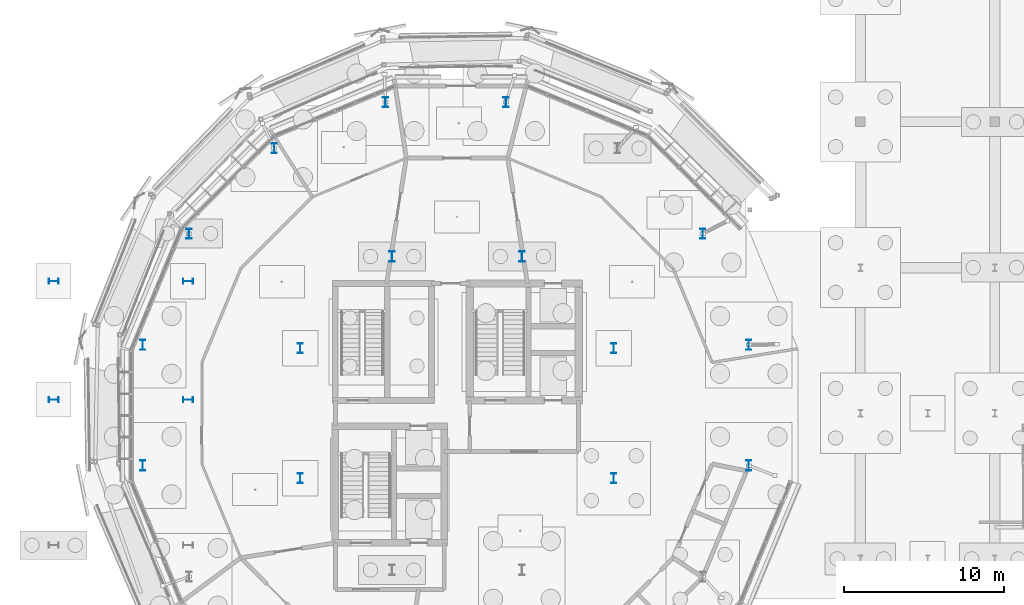
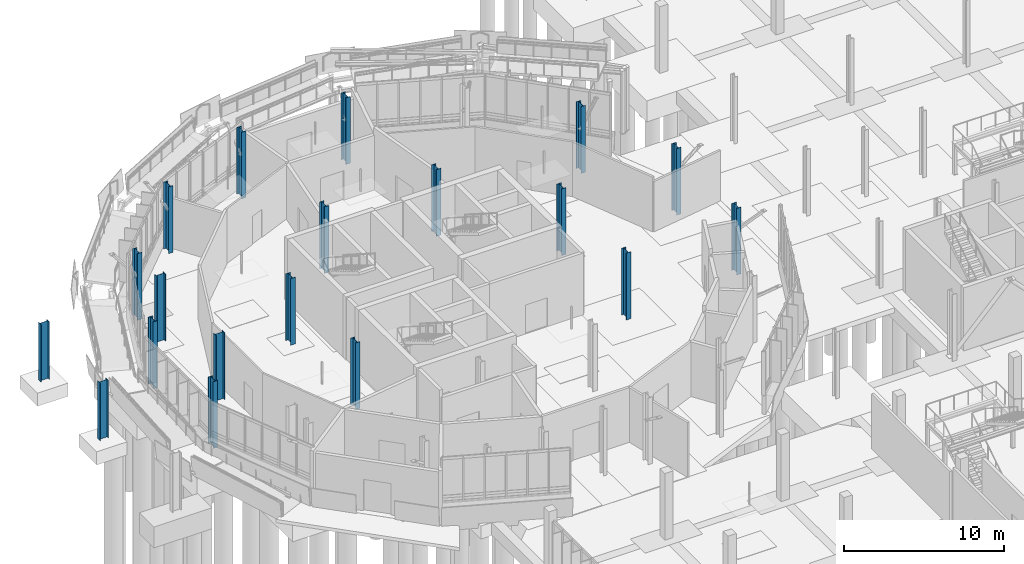
# One storey, part 19 of 119: 19 columns.
"""IFC4 building model written with IfcOpenShell, lengths in metres."""

from ifc_helpers import new_model, si_unit, derived_unit, direction, frame, origin, origin_2d, place, context, subcontext, project, spatial, i_section, extrude, material, material_profile, profile_set, type_object, element, save


model = new_model("IFC4")

# Units and contexts
model_context = context("Model", 3, precision=1e-05, world=origin(), true_north=direction((0.0, 1.0)))
body_context = subcontext(model_context, "Body", "Model", "MODEL_VIEW")
ifc_project = project(units=[si_unit("LENGTHUNIT", "METRE"), si_unit("AREAUNIT", "SQUARE_METRE"), si_unit("VOLUMEUNIT", "CUBIC_METRE"), si_unit("PLANEANGLEUNIT", "RADIAN"), si_unit("MASSUNIT", "GRAM", prefix="KILO"), derived_unit("THERMALTRANSMITTANCEUNIT", [(si_unit("MASSUNIT", "GRAM", prefix="KILO"), 1), (si_unit("TIMEUNIT", "SECOND"), -3), (si_unit("THERMODYNAMICTEMPERATUREUNIT", "KELVIN"), -1)])], contexts=[model_context])

# Site, building, storey
site_placement = place(None, origin())
site = spatial("IfcSite", under=ifc_project, at=site_placement, CompositionType="ELEMENT")
building_placement = place(site_placement, origin())
building = spatial("IfcBuilding", under=site, at=building_placement, Name="Makaiwela Harbour Ferry Terminal", CompositionType="ELEMENT")
storey_placement = place(building_placement, origin())
storey = spatial("IfcBuildingStorey", under=building, at=storey_placement, Name="L00", CompositionType="ELEMENT", Elevation=0.0)

# Columns
ifc_material = material(Name="Steel ASTM A992 Grade 50", Category="steel")
ifc_material_profile = material_profile(ifc_material, i_section(OverallWidth=0.327880859375, OverallDepth=0.6279296875, WebThickness=0.0166015625, FlangeThickness=0.027587890625, at=origin_2d()), Name="W24X146")
ifc_profile_set = profile_set([ifc_material_profile], Name="Steel ASTM A992 Grade 50")
column_type = type_object("IfcColumnType", Name="STR-COL-W24X146", PredefinedType="COLUMN", material=ifc_profile_set)
for number, where, z_axis, x_axis, name in (
    (1, (47.593017578125, 71.656494140625, 0.0), (0.0, 0.0, 1.0), (1.0, 0.0, 0.0), "Structural Column C-01"),
    (2, (41.8564453125, 77.39306640625, 0.0), (0.0, 0.0, 1.0), (1.0, 0.0, 0.0), "Structural Column C-01"),
    (3, (33.74365234375, 77.39306640625, 0.0), (0.0, 0.0, 1.0), (1.0, 0.0, 0.0), "Structural Column C-01"),
    (4, (28.0068359375, 71.656494140625, 0.0), (0.0, 0.0, 1.0), (1.0, 0.0, 0.0), "Structural Column C-01"),
    (5, (28.0068359375, 63.543701171875, 0.0), (0.0, 0.0, 1.0), (1.0, 0.0, 0.0), "Structural Column C-01"),
    (6, (47.593017578125, 63.543701171875, 0.0), (0.0, 0.0, 1.0), (1.0, 0.0, 0.0), "Structural Column C-01"),
    (7, (56.029296875, 71.865234375, 0.0), (0.0, 0.0, 1.0), (1.0, 0.0, 0.0), "Structural Column C-01"),
    (8, (53.1474609375, 78.822509765625, 0.0), (0.0, 0.0, 1.0), (1.0, 0.0, 0.0), "Structural Column C-01"),
    (9, (40.865234375, 87.029296875, 0.0), (0.0, 0.0, 1.0), (1.0, 0.0, 0.0), "Structural Column C-01"),
    (10, (33.334716796875, 87.029296875, 0.0), (0.0, 0.0, 1.0), (1.0, 0.0, 0.0), "Structural Column C-01"),
    (11, (26.37744140625, 84.1474609375, 0.0), (0.0, 0.0, 1.0), (1.0, 0.0, 0.0), "Structural Column C-01"),
    (12, (21.052490234375, 78.822509765625, 0.0), (0.0, 0.0, 1.0), (1.0, 0.0, 0.0), "Structural Column C-01"),
    (13, (18.1708984375, 71.865234375, 0.0), (0.0, 0.0, 1.0), (1.0, 0.0, 0.0), "Structural Column C-01"),
    (14, (18.1708984375, 64.334716796875, 0.0), (0.0, 0.0, 1.0), (1.0, 0.0, 0.0), "Structural Column C-01"),
    (15, (56.029296875, 64.334716796875, 0.0), (0.0, 0.0, 1.0), (1.0, 0.0, 0.0), "Structural Column C-01"),
    (16, (21.0, 68.449951171875, 0.0), (0.0, 0.0, 1.0), (0.0, 1.0, 0.0), "Structural Column C-01"),
):
    element("IfcColumn", number, at=place(storey_placement, frame(where, z_axis=z_axis, x_axis=x_axis)), inside=storey, type_object=column_type, Name=name, PredefinedType="COLUMN", context=body_context, shape_type="SweptSolid", body=[
        extrude(i_section(OverallWidth=0.327880859375, OverallDepth=0.6279296875, WebThickness=0.0166015625, FlangeThickness=0.027587890625, at=origin_2d()), origin(), (0.0, 0.0, 1.0), 5.10009765625),
    ])
column_1_placement = place(storey_placement, frame((12.60009765625, 68.449951171875, 0.0), z_axis=(0.0, 0.0, 1.0), x_axis=(0.0, 1.0, 0.0)))
element("IfcColumn", 17, at=column_1_placement, inside=storey, type_object=column_type, Name="Structural Column C-01", PredefinedType="COLUMN", context=body_context, shape_type="SweptSolid", body=[
    extrude(i_section(OverallWidth=0.327880859375, OverallDepth=0.6279296875, WebThickness=0.0166015625, FlangeThickness=0.027587890625, at=origin_2d()), origin(), (0.0, 0.0, 1.0), 4.39990234375),
])
column_2_placement = place(storey_placement, frame((21.0, 75.85009765625, 0.0), z_axis=(0.0, 0.0, 1.0), x_axis=(0.0, 1.0, 0.0)))
element("IfcColumn", 18, at=column_2_placement, inside=storey, type_object=column_type, Name="Structural Column C-01", PredefinedType="COLUMN", context=body_context, shape_type="SweptSolid", body=[
    extrude(i_section(OverallWidth=0.327880859375, OverallDepth=0.6279296875, WebThickness=0.0166015625, FlangeThickness=0.027587890625, at=origin_2d()), origin(), (0.0, 0.0, 1.0), 5.10009765625),
])
column_3_placement = place(storey_placement, frame((12.60009765625, 75.85009765625, 0.0), z_axis=(0.0, 0.0, 1.0), x_axis=(0.0, 1.0, 0.0)))
element("IfcColumn", 19, at=column_3_placement, inside=storey, type_object=column_type, Name="Structural Column C-01", PredefinedType="COLUMN", context=body_context, shape_type="SweptSolid", body=[
    extrude(i_section(OverallWidth=0.327880859375, OverallDepth=0.6279296875, WebThickness=0.0166015625, FlangeThickness=0.027587890625, at=origin_2d()), origin(), (0.0, 0.0, 1.0), 4.39990234375),
])

save(model, "model.ifc")
